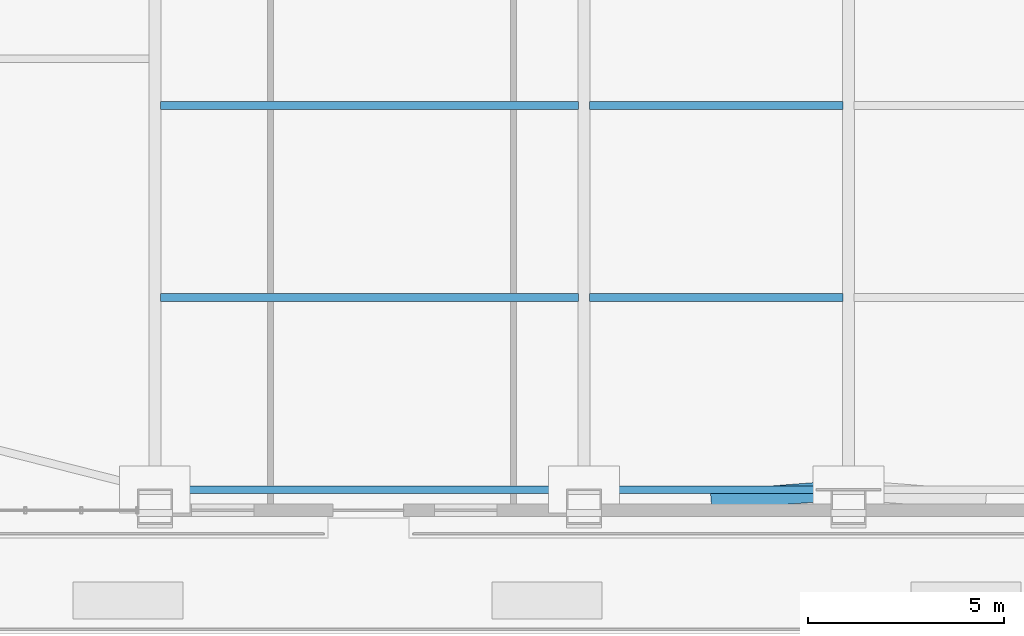
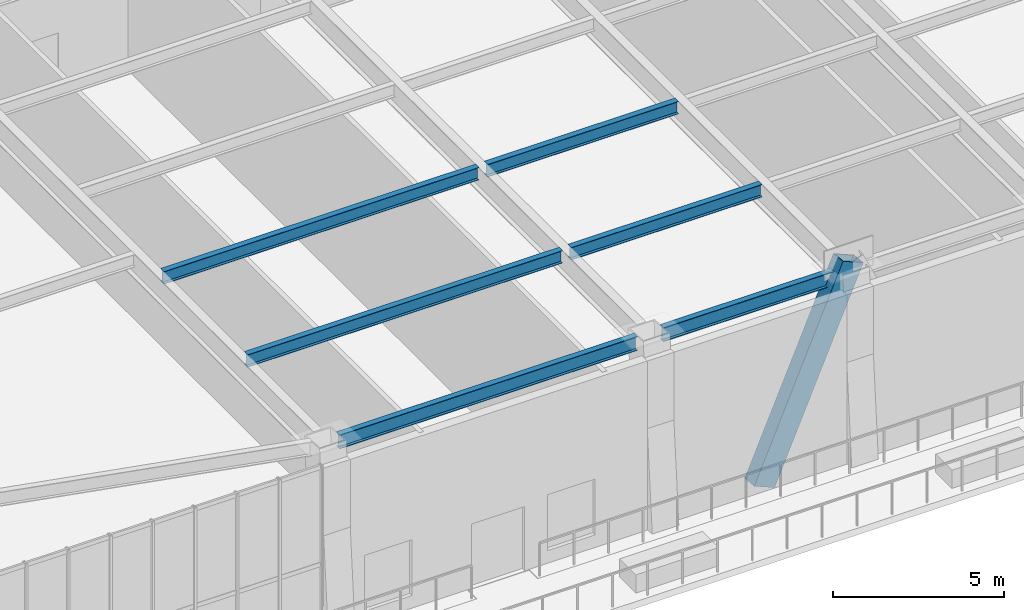
# One storey, part 4 of 22: 6 beams, 1 member.
"""IFC4 building model written with IfcOpenShell, lengths in metres."""

import ifcopenshell
import ifcopenshell.guid

model = None  # the IFC model being written
_history = None  # IfcOwnerHistory: only IFC2X3 demands one
_inside = {}  # id of a spatial element -> (the spatial element, [elements in it])
_under = {}  # id of a project, library or spatial element -> (it, [spatial elements below it])
_declared = {}  # id of a project -> (the project, [libraries it declares])
_typed = {}  # id of a type object -> (the type object, [elements of that type])
_made_of = {}  # id of a material, layer set ... -> (it, [elements and type objects made of it])


def new_model(schema):
    """Start an empty IFC model of exactly this schema.

    Asked for "IFC4X3", IfcOpenShell would pick the latest addendum, in which some entities
    have other attributes; the version numbers below select the first issue.
    IFC2X3 requires an IfcOwnerHistory on every rooted entity: one is made here for all.
    """
    global model, _history
    if schema == "IFC4X3":
        model = ifcopenshell.file(schema_version=(4, 3, 0, 0))
    else:
        model = ifcopenshell.file(schema=schema)
    _inside.clear()
    _under.clear()
    _declared.clear()
    _typed.clear()
    _made_of.clear()
    _history = None
    if model.schema == "IFC2X3":
        org = make("IfcOrganization", Name="unknown")
        user = make(
            "IfcPersonAndOrganization",
            ThePerson=make("IfcPerson", FamilyName="unknown"),
            TheOrganization=org,
        )
        app = make(
            "IfcApplication",
            ApplicationDeveloper=org,
            Version="unknown",
            ApplicationFullName="unknown",
            ApplicationIdentifier="unknown",
        )
        _history = make(
            "IfcOwnerHistory",
            OwningUser=user,
            OwningApplication=app,
            ChangeAction="ADDED",
            CreationDate=0,
        )
    return model


def make(cls, **values):
    """One entity of the class cls with the attributes given. An attribute that is None is left unset."""
    return model.create_entity(
        cls, **{name: value for name, value in values.items() if value is not None}
    )


def rooted(cls, **values):
    """An entity with a GlobalId (a new one), such as an element, a storey or a relation."""
    return make(cls, GlobalId=ifcopenshell.guid.new(), OwnerHistory=_history, **values)


def si_unit(unit_type, name, prefix=None):
    """IfcSIUnit, for example si_unit("LENGTHUNIT", "METRE", prefix="MILLI")."""
    return make("IfcSIUnit", UnitType=unit_type, Prefix=prefix, Name=name)


def assignment(units):
    """IfcUnitAssignment: the units of a project."""
    return None if units is None else make("IfcUnitAssignment", Units=units)


def point(xyz):
    """IfcCartesianPoint."""
    return None if xyz is None else make("IfcCartesianPoint", Coordinates=xyz)


def direction(xyz):
    """IfcDirection."""
    return None if xyz is None else make("IfcDirection", DirectionRatios=xyz)


def frame(location, z_axis=None, x_axis=None):
    """IfcAxis2Placement3D, a coordinate frame: its origin and axes. An axis left out is left unset."""
    return make(
        "IfcAxis2Placement3D",
        Location=point(location),
        Axis=direction(z_axis),
        RefDirection=direction(x_axis),
    )


def frame_2d(location, x_axis=None):
    """IfcAxis2Placement2D, a coordinate frame in the plane: its origin and x axis."""
    return make(
        "IfcAxis2Placement2D", Location=point(location), RefDirection=direction(x_axis)
    )


def origin():
    """The frame at (0, 0, 0) with its axes left unset."""
    return frame((0.0, 0.0, 0.0))


def origin_2d():
    """The frame at (0, 0) in the plane with its x axis left unset."""
    return frame_2d((0.0, 0.0))


def place(relative_to, where):
    """IfcLocalPlacement: puts the frame where relative to a parent placement (None: the world)."""
    return make(
        "IfcLocalPlacement", PlacementRelTo=relative_to, RelativePlacement=where
    )


def context(
    kind, dimensions, precision=None, world=None, true_north=None, identifier=None
):
    """IfcGeometricRepresentationContext, for example the 3D "Model" context."""
    return make(
        "IfcGeometricRepresentationContext",
        ContextIdentifier=identifier,
        ContextType=kind,
        CoordinateSpaceDimension=dimensions,
        Precision=precision,
        WorldCoordinateSystem=world,
        TrueNorth=true_north,
    )


def subcontext(parent, identifier, kind, view, scale=None):
    """IfcGeometricRepresentationSubContext, for example "Body" below "Model"."""
    return make(
        "IfcGeometricRepresentationSubContext",
        ContextIdentifier=identifier,
        ContextType=kind,
        ParentContext=parent,
        TargetScale=scale,
        TargetView=view,
    )


def project(units=None, contexts=None):
    """IfcProject with its units and contexts."""
    return rooted(
        "IfcProject",
        Name="project",
        RepresentationContexts=contexts,
        UnitsInContext=assignment(units),
    )


def spatial(cls, under=None, at=None, **own):
    """A site, building, storey or space (cls), placed at a placement, below another one or the project."""
    s = rooted(cls, ObjectPlacement=at, **own)
    if under is not None:
        _under.setdefault(under.id(), (under, []))[1].append(s)
    return s


def profile(cls, at=None, kind="AREA", **sizes):
    """A parametric profile (cls). Its sizes go by their IFC names, for example OverallWidth=200.0."""
    return make(cls, ProfileType=kind, Position=at, **sizes)


def hollow_rectangle(**sizes):
    """IfcRectangleHollowProfileDef."""
    return profile("IfcRectangleHollowProfileDef", **sizes)


def i_section(**sizes):
    """IfcIShapeProfileDef."""
    return profile("IfcIShapeProfileDef", **sizes)


def extrude(swept, where, along, depth):
    """IfcExtrudedAreaSolid: the profile swept, set in the frame where, extruded along a direction by depth."""
    return make(
        "IfcExtrudedAreaSolid",
        SweptArea=swept,
        Position=where,
        ExtrudedDirection=direction(along),
        Depth=depth,
    )


def shape(context_of_items, identifier, shape_type, items):
    """IfcShapeRepresentation: the items that make up one representation, for example the "Body"."""
    return make(
        "IfcShapeRepresentation",
        ContextOfItems=context_of_items,
        RepresentationIdentifier=identifier,
        RepresentationType=shape_type,
        Items=items,
    )


def source(mapping_origin, context_of_items, identifier, shape_type, items):
    """IfcRepresentationMap: a shape defined once, which mapped items show again and again."""
    return make(
        "IfcRepresentationMap",
        MappingOrigin=mapping_origin,
        MappedRepresentation=shape(context_of_items, identifier, shape_type, items),
    )


def transform(
    local_origin,
    x_axis=None,
    y_axis=None,
    z_axis=None,
    scale=None,
    scale2=None,
    scale3=None,
    uniform=True,
):
    """IfcCartesianTransformationOperator3D, or its non-uniform kind. x_axis, y_axis, z_axis: its Axis1, 2, 3."""
    if uniform:
        return make(
            "IfcCartesianTransformationOperator3D",
            Axis1=direction(x_axis),
            Axis2=direction(y_axis),
            LocalOrigin=point(local_origin),
            Scale=scale,
            Axis3=direction(z_axis),
        )
    return make(
        "IfcCartesianTransformationOperator3DnonUniform",
        Axis1=direction(x_axis),
        Axis2=direction(y_axis),
        LocalOrigin=point(local_origin),
        Scale=scale,
        Axis3=direction(z_axis),
        Scale2=scale2,
        Scale3=scale3,
    )


def mapped(mapping_source, mapping_target):
    """IfcMappedItem: shows the shape of a source again, moved by a transform."""
    return make(
        "IfcMappedItem", MappingSource=mapping_source, MappingTarget=mapping_target
    )


def material(Name=None, Category=None):
    """IfcMaterial."""
    return make("IfcMaterial", Name=Name, Category=Category)


def material_profile(
    of_material, cross_section, Name=None, Category=None, Priority=None
):
    """IfcMaterialProfile: a cross section and its material."""
    return make(
        "IfcMaterialProfile",
        Name=Name,
        Material=of_material,
        Profile=cross_section,
        Priority=Priority,
        Category=Category,
    )


def profile_set(profiles, Name=None, composite=None):
    """IfcMaterialProfileSet."""
    return make(
        "IfcMaterialProfileSet",
        Name=Name,
        MaterialProfiles=profiles,
        CompositeProfile=composite,
    )


def made_of(thing, what):
    """Note that an element or type object is made of a material, layer set ...; save() writes the relation."""
    if what is not None:
        _made_of.setdefault(what.id(), (what, []))[1].append(thing)
    return thing


def type_object(cls, material=None, **own):
    """A type object (cls), such as IfcWallType, which elements share."""
    return made_of(rooted(cls, **own), material)


def element(
    cls,
    number,
    at=None,
    inside=None,
    cuts=None,
    type_object=None,
    material=None,
    context=None,
    identifier="Body",
    shape_type=None,
    held_by="IfcProductDefinitionShape",
    body=None,
    shapes=None,
    **own,
):
    """One element of the class cls, such as IfcWall. Its Tag is "e" and its number.

    at: its placement. inside: the storey or other place that contains it. cuts: it is an
    opening in that element (IfcRelVoidsElement). A single representation is given by context,
    identifier, shape_type and body (its items); several are given by shapes. held_by: the class
    of the entity that holds the representations. save() writes the other relations.
    """
    e = rooted(cls, Tag="e%d" % number, ObjectPlacement=at, **own)
    if body is not None:
        shapes = [shape(context, identifier, shape_type, body)]
    if shapes is not None:
        e.Representation = make(held_by, Representations=shapes)
    if inside is not None:
        _inside.setdefault(inside.id(), (inside, []))[1].append(e)
    if cuts is not None:
        rooted(
            "IfcRelVoidsElement", RelatingBuildingElement=cuts, RelatedOpeningElement=e
        )
    if type_object is not None:
        _typed.setdefault(type_object.id(), (type_object, []))[1].append(e)
    return made_of(e, material)


def aggregate(whole, parts):
    """IfcRelAggregates: a whole, such as a stair, and the parts it consists of."""
    return rooted("IfcRelAggregates", RelatingObject=whole, RelatedObjects=parts)


def save(model, path):
    """Write the relations noted so far, then the file.

    IfcRelAggregates (storeys below a building ...), IfcRelContainedInSpatialStructure (elements
    in a storey), IfcRelDefinesByType, IfcRelAssociatesMaterial and IfcRelDeclares: one each for
    every whole, place, type object, material and project.
    """
    for whole, parts in _under.values():
        aggregate(whole, parts)
    for where, things in _inside.values():
        rooted(
            "IfcRelContainedInSpatialStructure",
            RelatedElements=things,
            RelatingStructure=where,
        )
    for kind, things in _typed.values():
        rooted("IfcRelDefinesByType", RelatedObjects=things, RelatingType=kind)
    for what, things in _made_of.values():
        rooted("IfcRelAssociatesMaterial", RelatedObjects=things, RelatingMaterial=what)
    for by, libraries in _declared.values():
        rooted("IfcRelDeclares", RelatingContext=by, RelatedDefinitions=libraries)
    model.write(path)


model = new_model("IFC4")

# Units and contexts
model_context = context("Model", 3, precision=1e-05, world=origin(), true_north=direction((0.0, 1.0)))
body_context = subcontext(model_context, "Body", "Model", "MODEL_VIEW")
ifc_project = project(units=[si_unit("LENGTHUNIT", "METRE"), si_unit("AREAUNIT", "SQUARE_METRE"), si_unit("VOLUMEUNIT", "CUBIC_METRE"), si_unit("PLANEANGLEUNIT", "RADIAN"), si_unit("MASSUNIT", "GRAM", prefix="KILO")], contexts=[model_context])

# Site, building, storey
site_placement = place(None, origin())
site = spatial("IfcSite", under=ifc_project, at=site_placement, CompositionType="ELEMENT")
building_placement = place(site_placement, origin())
building = spatial("IfcBuilding", under=site, at=building_placement, Name="Giltprow Tower", CompositionType="ELEMENT")
storey_placement = place(building_placement, frame((0.0, 0.0, 130.89990234375)))
storey = spatial("IfcBuildingStorey", under=building, at=storey_placement, Name="L32", CompositionType="ELEMENT", Elevation=130.89990234375)

# Beams
ifc_material_1 = material(Name="Structural steel Q355B", Category="steel")
ifc_material_profile_1 = material_profile(ifc_material_1, i_section(OverallWidth=0.199951171875, OverallDepth=0.449951171875, WebThickness=0.009033203125, FlangeThickness=0.013916015625, at=origin_2d()), Name="HN 450x200x9x14")
ifc_profile_set_1 = profile_set([ifc_material_profile_1], Name="Structural steel Q355B")
beam_type_1 = type_object("IfcBeamType", Name="BM-JOIST-HN450", PredefinedType="JOIST", material=ifc_profile_set_1)
shared_shape_1 = source(origin(), body_context, "Body", "SweptSolid", [
    extrude(i_section(OverallWidth=0.199951171875, OverallDepth=0.449951171875, WebThickness=0.009033203125, FlangeThickness=0.013916015625, at=origin_2d()), origin(), (0.0, 0.0, 1.0), 10.659912109375),
])
for number, where, z_axis, x_axis, name in (
    (1, (19.9951171875, 12.946044921875, 6.34521484375), (1.0, 0.0, 0.0), (0.0, 1.0, 0.0), "L32 Composite Floor Joist 1-1"),
    (2, (19.9951171875, 17.846923828125, 6.34521484375), (1.0, 0.0, 0.0), (0.0, 1.0, 0.0), "L32 Composite Floor Joist 2-1"),
):
    element("IfcBeam", number, at=place(storey_placement, frame(where, z_axis=z_axis, x_axis=x_axis)), inside=storey, type_object=beam_type_1, Name=name, PredefinedType="JOIST", context=body_context, shape_type="MappedRepresentation", body=[
        mapped(shared_shape_1, transform((0.0, 0.0, 0.0), x_axis=(1.0, 0.0, 0.0), y_axis=(0.0, 1.0, 0.0), z_axis=(0.0, 0.0, 1.0), scale=1.0)),
    ])
shared_shape_2 = source(origin(), body_context, "Body", "SweptSolid", [
    extrude(i_section(OverallWidth=0.199951171875, OverallDepth=0.449951171875, WebThickness=0.009033203125, FlangeThickness=0.013916015625, at=origin_2d()), origin(), (0.0, 0.0, 1.0), 6.4599609375),
])
for number, where, z_axis, x_axis, name in (
    (3, (30.945068359375, 12.946044921875, 6.34521484375), (1.0, 0.0, 0.0), (0.0, 1.0, 0.0), "L32 Composite Floor Joist 1-2"),
    (4, (30.945068359375, 17.846923828125, 6.34521484375), (1.0, 0.0, 0.0), (0.0, 1.0, 0.0), "L32 Composite Floor Joist 2-2"),
):
    element("IfcBeam", number, at=place(storey_placement, frame(where, z_axis=z_axis, x_axis=x_axis)), inside=storey, type_object=beam_type_1, Name=name, PredefinedType="JOIST", context=body_context, shape_type="MappedRepresentation", body=[
        mapped(shared_shape_2, transform((0.0, 0.0, 0.0), x_axis=(1.0, 0.0, 0.0), y_axis=(0.0, 1.0, 0.0), z_axis=(0.0, 0.0, 1.0), scale=1.0)),
    ])
ifc_material_profile_2 = material_profile(ifc_material_1, i_section(OverallWidth=0.199951171875, OverallDepth=0.5, WebThickness=0.010009765625, FlangeThickness=0.01611328125, at=origin_2d()), Name="HN 500x200x10x16")
ifc_profile_set_2 = profile_set([ifc_material_profile_2], Name="Structural steel Q355B")
beam_type_2 = type_object("IfcBeamType", Name="BM-SPAN-HN500", PredefinedType="SPANDREL", material=ifc_profile_set_2)
shared_shape_3 = source(origin(), body_context, "Body", "SweptSolid", [
    extrude(i_section(OverallWidth=0.199951171875, OverallDepth=0.5, WebThickness=0.010009765625, FlangeThickness=0.01611328125, at=origin_2d()), origin(), (0.0, 0.0, 1.0), 10.080078125),
])
beam_1_placement = place(storey_placement, frame((20.284912109375, 8.044921875, 6.320068359375), z_axis=(1.0, 0.0, 0.0), x_axis=(0.0, 1.0, 0.0)))
element("IfcBeam", 5, at=beam_1_placement, inside=storey, type_object=beam_type_2, Name="L32 Perimeter Spandrel Beam S1-S2", PredefinedType="SPANDREL", context=body_context, shape_type="MappedRepresentation", body=[
    mapped(shared_shape_3, transform((0.0, 0.0, 0.0), x_axis=(1.0, 0.0, 0.0), y_axis=(0.0, 1.0, 0.0), z_axis=(0.0, 0.0, 1.0), scale=1.0)),
])
shared_shape_4 = source(origin(), body_context, "Body", "SweptSolid", [
    extrude(i_section(OverallWidth=0.199951171875, OverallDepth=0.5, WebThickness=0.010009765625, FlangeThickness=0.01611328125, at=origin_2d()), origin(), (0.0, 0.0, 1.0), 5.8798828125),
])
beam_2_placement = place(storey_placement, frame((31.235107421875, 8.044921875, 6.320068359375), z_axis=(1.0, 0.0, 0.0), x_axis=(0.0, 1.0, 0.0)))
element("IfcBeam", 6, at=beam_2_placement, inside=storey, type_object=beam_type_2, Name="L32 Perimeter Spandrel Beam S2-S_MID", PredefinedType="SPANDREL", context=body_context, shape_type="MappedRepresentation", body=[
    mapped(shared_shape_4, transform((0.0, 0.0, 0.0), x_axis=(1.0, 0.0, 0.0), y_axis=(0.0, 1.0, 0.0), z_axis=(0.0, 0.0, 1.0), scale=1.0)),
])

# Member
ifc_material_2 = material(Name="Structural steel Q420GJC", Category="steel")
ifc_material_profile_3 = material_profile(ifc_material_2, hollow_rectangle(XDim=0.5, YDim=0.800048828125, WallThickness=0.035888671875, at=origin_2d()), Name="RHS 800x500x36")
ifc_profile_set_3 = profile_set([ifc_material_profile_3], Name="Structural steel Q420GJC")
member_type = type_object("IfcMemberType", Name="MBR-MEGA-RHS800", PredefinedType="BRACE", material=ifc_profile_set_3)
shared_shape_5 = source(origin(), body_context, "Body", "SweptSolid", [
    extrude(hollow_rectangle(XDim=0.5, YDim=0.800048828125, WallThickness=0.035888671875, at=origin_2d()), origin(), (0.0, 0.0, 1.0), 7.49560546875),
])
member_placement = place(storey_placement, frame((34.406005859375, 7.800048828125, 0.0), z_axis=(0.419445783995, 0.032668436197, 0.907192376271), x_axis=(-0.077649608112, 0.996980711127, 0.0)))
element("IfcMember", 7, at=member_placement, inside=storey, type_object=member_type, Name="L32 Chevron Mega-Brace S-L", PredefinedType="BRACE", context=body_context, shape_type="MappedRepresentation", body=[
    mapped(shared_shape_5, transform((0.0, 0.0, 0.0), x_axis=(1.0, 0.0, 0.0), y_axis=(0.0, 1.0, 0.0), z_axis=(0.0, 0.0, 1.0), scale=1.0)),
])

save(model, "model.ifc")
